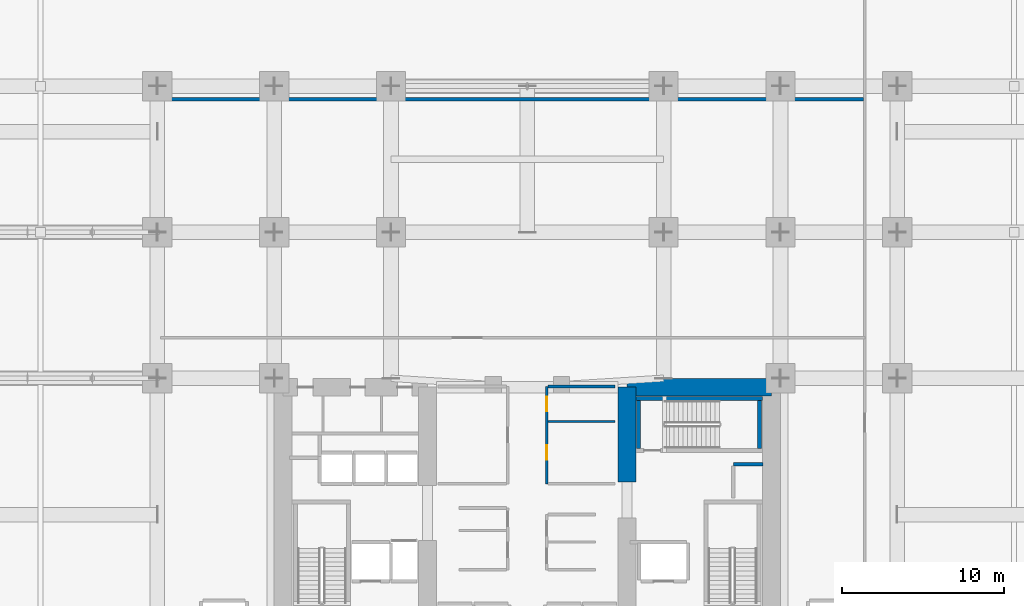
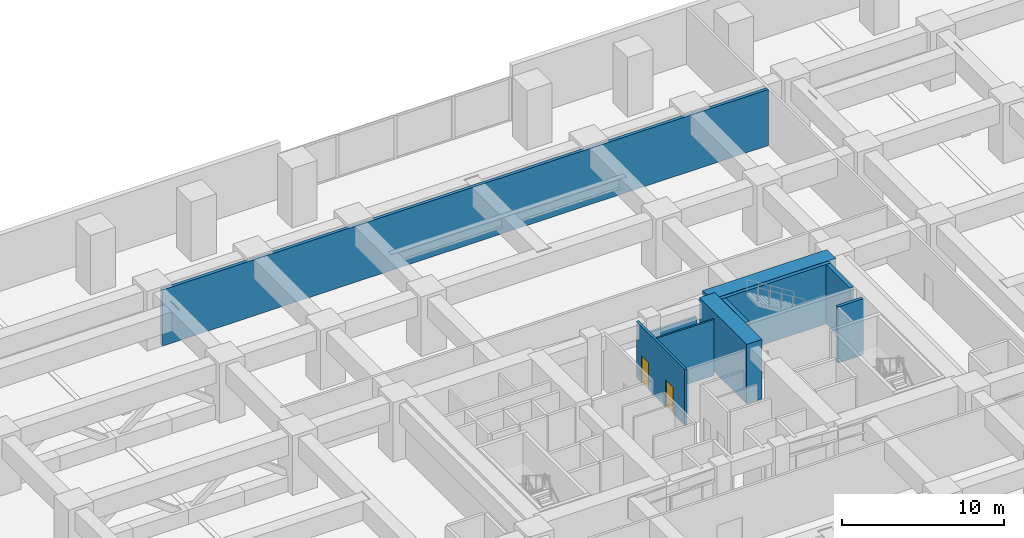
# One storey, part 18 of 25: 10 walls, 2 doors, 2 openings.
"""IFC4 building model written with IfcOpenShell, lengths in metres."""

from ifc_helpers import new_model, si_unit, direction, frame, frame_2d, origin, place, context, subcontext, project, spatial, rectangle, extrude, material, layer, layer_set, type_object, element, fill, save


model = new_model("IFC4")

# Units and contexts
model_context = context("Model", 3, precision=1e-05, world=origin(), true_north=direction((0.0, 1.0)))
body_context = subcontext(model_context, "Body", "Model", "MODEL_VIEW")
ifc_project = project(units=[si_unit("LENGTHUNIT", "METRE"), si_unit("AREAUNIT", "SQUARE_METRE"), si_unit("VOLUMEUNIT", "CUBIC_METRE"), si_unit("PLANEANGLEUNIT", "RADIAN"), si_unit("MASSUNIT", "GRAM", prefix="KILO")], contexts=[model_context])

# Site, building, storey
site_placement = place(None, origin())
site = spatial("IfcSite", under=ifc_project, at=site_placement, CompositionType="ELEMENT")
building_placement = place(site_placement, origin())
building = spatial("IfcBuilding", under=site, at=building_placement, Name="Kiyonajd Concourse Tower", CompositionType="ELEMENT")
storey_placement = place(building_placement, frame((0.0, 0.0, 17.10009765625)))
storey = spatial("IfcBuildingStorey", under=building, at=storey_placement, Name="L05", CompositionType="ELEMENT", Elevation=17.10009765625)

# Walls
ifc_material_1 = material(Name="Concrete C80/95", Category="concrete")
ifc_layer_1 = layer(ifc_material_1, 1.10009765625)
ifc_layer_set_1 = layer_set([ifc_layer_1], Name="Concrete C80/95")
wall_type_1 = type_object("IfcWallType", Name="WL-CORE-1100", PredefinedType="SHEAR", material=ifc_layer_set_1)
wall_1_placement = place(storey_placement, frame((54.14990234375, 38.0, 0.0), z_axis=(0.0, 0.0, 1.0), x_axis=(0.0, 1.0, 0.0)))
element("IfcWall", 1, at=wall_1_placement, inside=storey, type_object=wall_type_1, Name="L05 East Core Inner North Shear Wall", PredefinedType="SHEAR", context=body_context, shape_type="SweptSolid", body=[
    extrude(rectangle(XDim=5.85009765625, YDim=1.10009765625, at=frame_2d((2.925048828125, 0.0))), origin(), (0.0, 0.0, 1.0), 4.5),
])
wall_2_placement = place(storey_placement, frame((54.14990234375, 43.85009765625, 0.0), z_axis=(0.0, 0.0, 1.0), x_axis=(1.0, 0.0, 0.0)))
element("IfcWall", 2, at=wall_2_placement, inside=storey, type_object=wall_type_1, Name="L05 East Core North Shear Wall", PredefinedType="SHEAR", context=body_context, shape_type="SweptSolid", body=[
    extrude(rectangle(XDim=8.900146484375, YDim=1.10009765625, at=frame_2d((4.4501953125, 0.0))), origin(), (0.0, 0.0, 1.0), 4.5),
])
ifc_material_2 = material(Name="Gypsum Board on Cold-Formed Steel Stud", Category="steel")
ifc_layer_2 = layer(ifc_material_2, 0.22998046875)
ifc_layer_set_2 = layer_set([ifc_layer_2], Name="Gypsum Board on Cold-Formed Steel Stud")
wall_type_2 = type_object("IfcWallType", Name="WL-FIRE-230", PredefinedType="PARTITIONING", material=ifc_layer_set_2)
wall_3_placement = place(storey_placement, frame((25.39990234375, 61.60009765625, 0.0), z_axis=(0.0, 0.0, 1.0), x_axis=(1.0, 0.0, 0.0)))
element("IfcWall", 3, at=wall_3_placement, inside=storey, type_object=wall_type_2, Name="L05 Interior Partition Wall", PredefinedType="PARTITIONING", context=body_context, shape_type="SweptSolid", body=[
    extrude(rectangle(XDim=43.31298828125, YDim=0.22998046875, at=frame_2d((21.656494140625, 0.0))), origin(), (0.0, 0.0, 1.0), 4.239990234375),
])
ifc_layer_3 = layer(ifc_material_2, 0.125)
ifc_layer_set_3 = layer_set([ifc_layer_3], Name="Gypsum Board on Cold-Formed Steel Stud")
wall_type_3 = type_object("IfcWallType", Name="WL-PART-125", PredefinedType="PARTITIONING", material=ifc_layer_set_3)
wall_4_placement = place(storey_placement, frame((49.287109375, 41.739990234375, 0.0), z_axis=(0.0, 0.0, 1.0), x_axis=(1.0, 0.0, 0.0)))
element("IfcWall", 4, at=wall_4_placement, inside=storey, type_object=wall_type_3, Name="L05 Interior Partition Wall", PredefinedType="PARTITIONING", context=body_context, shape_type="SweptSolid", body=[
    extrude(rectangle(XDim=4.11279296875, YDim=0.125, at=frame_2d((2.056396484375, 0.0))), origin(), (0.0, 0.0, 1.0), 4.239990234375),
])
ifc_layer_4 = layer(ifc_material_2, 0.2099609375)
ifc_layer_set_4 = layer_set([ifc_layer_4], Name="Gypsum Board on Cold-Formed Steel Stud")
wall_type_4 = type_object("IfcWallType", Name="WL-SHAFT-210", PredefinedType="PARTITIONING", material=ifc_layer_set_4)
wall_5_placement = place(storey_placement, frame((60.719970703125, 39.10009765625, 0.0), z_axis=(0.0, 0.0, 1.0), x_axis=(1.0, 0.0, 0.0)))
element("IfcWall", 5, at=wall_5_placement, inside=storey, type_object=wall_type_4, Name="L05 Shaft Enclosure Wall", PredefinedType="PARTITIONING", context=body_context, shape_type="SweptSolid", body=[
    extrude(rectangle(XDim=1.800048828125, YDim=0.2099609375, at=frame_2d((0.89990234375, 0.0))), origin(), (0.0, 0.0, 1.0), 4.239990234375),
])

# Wall, openings, doors
ifc_layer_5 = layer(ifc_material_2, 0.169921875)
ifc_layer_set_5 = layer_set([ifc_layer_5], Name="Gypsum Board on Cold-Formed Steel Stud")
wall_type_5 = type_object("IfcWallType", Name="WL-SMK-170", PredefinedType="PARTITIONING", material=ifc_layer_set_5)
wall_6_placement = place(storey_placement, frame((49.199951171875, 37.89990234375, 0.0), z_axis=(0.0, 0.0, 1.0), x_axis=(0.0, 1.0, 0.0)))
wall_6 = element("IfcWall", 6, at=wall_6_placement, inside=storey, type_object=wall_type_5, Name="L05 Interior Partition Wall", PredefinedType="PARTITIONING", context=body_context, shape_type="SweptSolid", body=[
    extrude(rectangle(XDim=6.0, YDim=0.169921875, at=frame_2d((3.0, 0.0))), origin(), (0.0, 0.0, 1.0), 4.239990234375),
])
opening_1_placement = place(wall_6_placement, frame((1.469970703125, 0.0, 0.0)))
opening_1 = element("IfcOpeningElement", 7, at=opening_1_placement, cuts=wall_6, Name="Opening DF4", PredefinedType="OPENING", context=body_context, shape_type="SweptSolid", body=[
    extrude(rectangle(XDim=0.89990234375, YDim=2.02001953125, at=frame_2d((0.449951171875, 1.010009765625))), frame((0.0, 0.094970703125, 0.0), z_axis=(0.0, -1.0, 0.0), x_axis=(1.0, 0.0, 0.0)), (0.0, 0.0, 1.0), 0.18994140625),
])
opening_2_placement = place(wall_6_placement, frame((4.469970703125, 0.0, 0.0)))
opening_2 = element("IfcOpeningElement", 8, at=opening_2_placement, cuts=wall_6, Name="Opening DF4", PredefinedType="OPENING", context=body_context, shape_type="SweptSolid", body=[
    extrude(rectangle(XDim=0.89990234375, YDim=2.02001953125, at=frame_2d((0.449951171875, 1.010009765625))), frame((0.0, 0.094970703125, 0.0), z_axis=(0.0, -1.0, 0.0), x_axis=(1.0, 0.0, 0.0)), (0.0, 0.0, 1.0), 0.18994140625),
])
ifc_material_3 = material(Name="Brushed Stainless Steel Cab Assembly", Category="steel")
door_type = type_object("IfcDoorType", Name="DR-FD60-900", OperationType="NOTDEFINED", PredefinedType="DOOR", material=ifc_material_3)
door_1_placement = place(opening_1_placement, origin())
door_1 = element("IfcDoor", 9, at=door_1_placement, inside=storey, type_object=door_type, Name="L05 Interior Door", OperationType="SINGLE_SWING_RIGHT", OverallHeight=2.02001953125, OverallWidth=0.89990234375, PredefinedType="DOOR", context=body_context, shape_type="SweptSolid", body=[
    extrude(rectangle(XDim=0.89990234375, YDim=2.02001953125, at=frame_2d((0.449951171875, 1.010009765625))), frame((0.0, 0.02490234375, 0.0), z_axis=(0.0, -1.0, 0.0), x_axis=(1.0, 0.0, 0.0)), (0.0, 0.0, 1.0), 0.050048828125),
])
fill(opening_1, door_1)
door_2_placement = place(opening_2_placement, origin())
door_2 = element("IfcDoor", 10, at=door_2_placement, inside=storey, type_object=door_type, Name="L05 Interior Door", OperationType="SINGLE_SWING_LEFT", OverallHeight=2.02001953125, OverallWidth=0.89990234375, PredefinedType="DOOR", context=body_context, shape_type="SweptSolid", body=[
    extrude(rectangle(XDim=0.89990234375, YDim=2.02001953125, at=frame_2d((0.449951171875, 1.010009765625))), frame((0.0, 0.02490234375, 0.0), z_axis=(0.0, -1.0, 0.0), x_axis=(1.0, 0.0, 0.0)), (0.0, 0.0, 1.0), 0.050048828125),
])
fill(opening_2, door_2)

# Walls
wall_7_placement = place(storey_placement, frame((49.287109375, 43.89990234375, 0.0), z_axis=(0.0, 0.0, 1.0), x_axis=(1.0, 0.0, 0.0)))
element("IfcWall", 11, at=wall_7_placement, inside=storey, type_object=wall_type_5, Name="L05 Interior Partition Wall", PredefinedType="PARTITIONING", context=body_context, shape_type="SweptSolid", body=[
    extrude(rectangle(XDim=4.11279296875, YDim=0.169921875, at=frame_2d((2.056396484375, 0.0))), origin(), (0.0, 0.0, 1.0), 3.125),
])
ifc_material_4 = material(Name="Concrete C50/60", Category="concrete")
ifc_layer_6 = layer(ifc_material_4, 0.260009765625)
ifc_layer_set_6 = layer_set([ifc_layer_6], Name="Concrete C50/60")
wall_type_6 = type_object("IfcWallType", Name="WL-STAIR-260", PredefinedType="SHEAR", material=ifc_layer_set_6)
wall_8_placement = place(storey_placement, frame((54.699951171875, 43.14990234375, 0.0), z_axis=(0.0, 0.0, 1.0), x_axis=(1.0, 0.0, 0.0)))
element("IfcWall", 12, at=wall_8_placement, inside=storey, type_object=wall_type_6, Name="L05 Stair ST3 Structural North Wall", PredefinedType="SHEAR", context=body_context, shape_type="SweptSolid", body=[
    extrude(rectangle(XDim=7.800048828125, YDim=0.260009765625, at=frame_2d((3.89990234375, 0.0))), origin(), (0.0, 0.0, 1.0), 4.5),
])
for number, where, z_axis, x_axis, name in (
    (13, (54.85009765625, 40.080078125, 0.0), (0.0, 0.0, 1.0), (0.0, 1.0, 0.0), "L05 Stair ST3 Structural West Wall"),
    (14, (62.31005859375, 40.080078125, 0.0), (0.0, 0.0, 1.0), (0.0, 1.0, 0.0), "L05 Stair ST3 Structural East Wall"),
):
    element("IfcWall", number, at=place(storey_placement, frame(where, z_axis=z_axis, x_axis=x_axis)), inside=storey, type_object=wall_type_6, Name=name, PredefinedType="SHEAR", context=body_context, shape_type="SweptSolid", body=[
        extrude(rectangle(XDim=2.93994140625, YDim=0.260009765625, at=frame_2d((1.469970703125, 0.0))), origin(), (0.0, 0.0, 1.0), 4.5),
    ])

save(model, "model.ifc")
